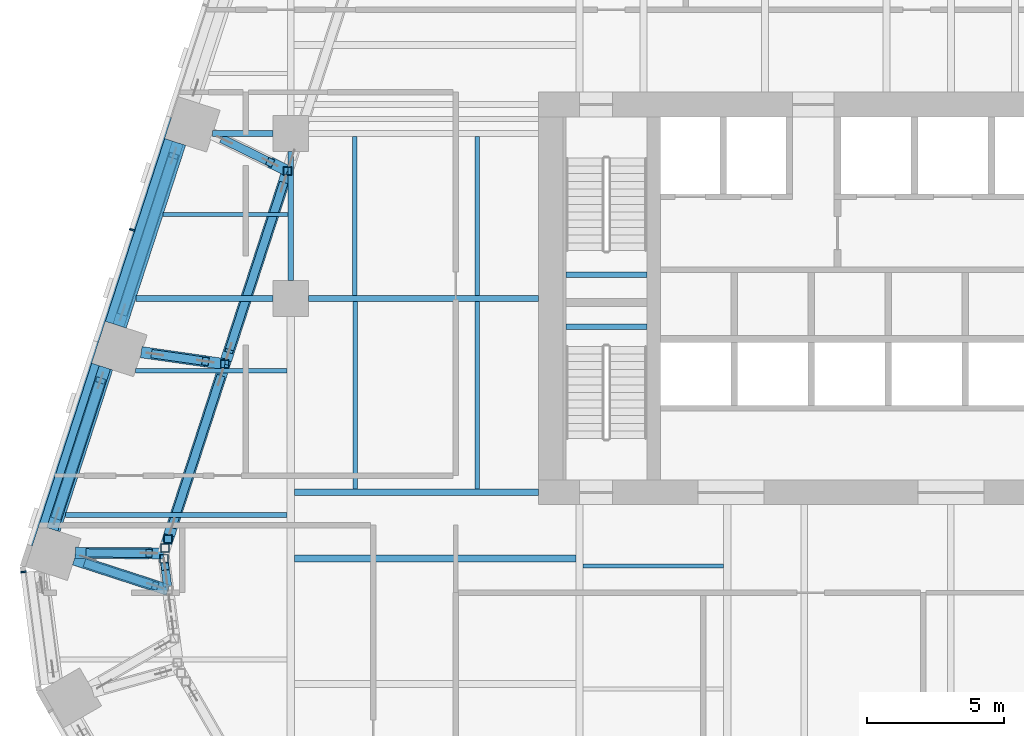
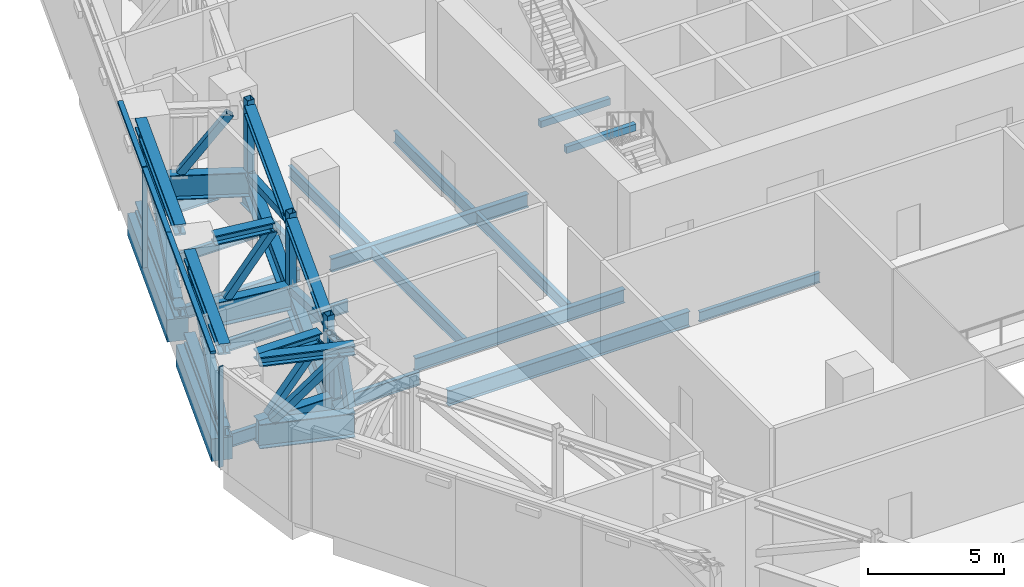
# One storey, part 10 of 36: 34 members, 18 beams, 2 elements without a shape of their own.
"""IFC4 building model written with IfcOpenShell, lengths in metres."""

from ifc_helpers import new_model, si_unit, direction, frame, origin, origin_2d, place, context, subcontext, project, spatial, rectangle, hollow_rectangle, i_section, extrude, material, layer, layer_set, material_profile, profile_set, type_object, element, aggregate, save


model = new_model("IFC4")

# Units and contexts
model_context = context("Model", 3, precision=1e-05, world=origin(), true_north=direction((0.0, 1.0)))
body_context = subcontext(model_context, "Body", "Model", "MODEL_VIEW")
ifc_project = project(units=[si_unit("LENGTHUNIT", "METRE"), si_unit("AREAUNIT", "SQUARE_METRE"), si_unit("VOLUMEUNIT", "CUBIC_METRE"), si_unit("PLANEANGLEUNIT", "RADIAN"), si_unit("MASSUNIT", "GRAM", prefix="KILO")], contexts=[model_context])

# Site, building, storey
site_placement = place(None, origin())
site = spatial("IfcSite", under=ifc_project, at=site_placement, CompositionType="ELEMENT")
building_placement = place(site_placement, origin())
building = spatial("IfcBuilding", under=site, at=building_placement, Name="Isthmus Gate Tower", CompositionType="ELEMENT")
storey_placement = place(building_placement, frame((0.0, 0.0, 117.14990234375)))
storey = spatial("IfcBuildingStorey", under=building, at=storey_placement, Name="L28", CompositionType="ELEMENT", Elevation=117.14990234375)

# Members
ifc_material_1 = material(Name="Structural steel ASTM A913 Gr 65", Category="steel")
ifc_material_profile_1 = material_profile(ifc_material_1, i_section(OverallWidth=0.4287109375, OverallDepth=0.482666015625, WebThickness=0.05078125, FlangeThickness=0.0810546875, at=origin_2d()), Name="W14X455")
ifc_profile_set_1 = profile_set([ifc_material_profile_1], Name="Structural steel ASTM A913 Gr 65")
member_type_1 = type_object("IfcMemberType", Name="BELT TRUSS CHORD W14X455", PredefinedType="CHORD", material=ifc_profile_set_1)
for number, where, z_axis, x_axis, name in (
    (1, (-32.67626953125, -0.8935546875, 0.241455078125), (0.309023635203, 0.951054358534, 0.0), (-0.951054358534, 0.309023635203, 0.0), "str-belt18-L28-01"),
    (2, (-32.67626953125, -0.8935546875, 3.958740234375), (0.309023635203, 0.951054358534, 0.0), (-0.951054358534, 0.309023635203, 0.0), "str-belt18-L28-02"),
):
    element("IfcMember", number, at=place(storey_placement, frame(where, z_axis=z_axis, x_axis=x_axis)), inside=storey, type_object=member_type_1, Name=name, PredefinedType="CHORD", context=body_context, shape_type="SweptSolid", body=[
        extrude(i_section(OverallWidth=0.4287109375, OverallDepth=0.482666015625, WebThickness=0.05078125, FlangeThickness=0.0810546875, at=origin_2d()), origin(), (0.0, 0.0, 1.0), 6.189208984375),
    ])
for number, where, z_axis, x_axis, name in (
    (3, (-30.26904296875, 6.514404296875, 0.241455078125), (0.308998398314, 0.951062558321, 0.0), (-0.951062558321, 0.308998398314, 0.0), "str-belt19-L28-01"),
    (4, (-30.26904296875, 6.514404296875, 3.958740234375), (0.308998398314, 0.951062558321, 0.0), (-0.951062558321, 0.308998398314, 0.0), "str-belt19-L28-02"),
):
    element("IfcMember", number, at=place(storey_placement, frame(where, z_axis=z_axis, x_axis=x_axis)), inside=storey, type_object=member_type_1, Name=name, PredefinedType="CHORD", context=body_context, shape_type="SweptSolid", body=[
        extrude(i_section(OverallWidth=0.4287109375, OverallDepth=0.482666015625, WebThickness=0.05078125, FlangeThickness=0.0810546875, at=origin_2d()), origin(), (0.0, 0.0, 1.0), 6.9892578125),
    ])

# Curtain wall, member
ifc_material_2 = material(Name="Aluminium, pale champagne anodised", Category="aluminium")
ifc_layer = layer(ifc_material_2, 0.199951171875)
ifc_layer_set = layer_set([ifc_layer], Name="CW-2 LOUVRE CURTAIN WALL 200 DEEP")
curtain_wall_type = type_object("IfcCurtainWallType", Name="CW-2 LOUVRE CURTAIN WALL 200 DEEP", PredefinedType="NOTDEFINED", material=ifc_layer_set)
curtain_wall_1_placement = place(storey_placement, origin())
curtain_wall_1 = element("IfcCurtainWall", 5, at=curtain_wall_1_placement, inside=storey, type_object=curtain_wall_type, Name="CW-2 NW L28", PredefinedType="NOTDEFINED")
ifc_material_3 = material(Name="Aluminium, pale champagne anodised", Category="aluminium")
ifc_material_profile_2 = material_profile(ifc_material_3, rectangle(XDim=0.06005859375, YDim=0.199951171875, at=origin_2d()), Name="60x200")
ifc_profile_set_2 = profile_set([ifc_material_profile_2], Name="Aluminium, pale champagne anodised")
member_type_2 = type_object("IfcMemberType", Name="CW-2 MULLION 60 X 200", PredefinedType="MULLION", material=ifc_profile_set_2)
member_1_placement = place(storey_placement, frame((-29.76904296875, 9.994873046875, 0.0), z_axis=(0.0, 0.0, 1.0), x_axis=(-0.309016994375, -0.951056516295, 0.0)))
member_1 = element("IfcMember", 6, at=member_1_placement, type_object=member_type_2, Name="CW-2 mullion", PredefinedType="MULLION", context=body_context, shape_type="SweptSolid", body=[
    extrude(rectangle(XDim=0.06005859375, YDim=0.199951171875, at=origin_2d()), origin(), (0.0, 0.0, 1.0), 4.5),
])

curtain_wall_2_placement = place(storey_placement, origin())
curtain_wall_2 = element("IfcCurtainWall", 7, at=curtain_wall_2_placement, inside=storey, type_object=curtain_wall_type, Name="CW-2 NW-SW L28", PredefinedType="NOTDEFINED")
member_2_placement = place(storey_placement, frame((-33.722900390625, -2.44482421875, 0.0), z_axis=(0.0, 0.0, 1.0), x_axis=(0.129164534, -0.991623175988, 0.0)))
member_2 = element("IfcMember", 8, at=member_2_placement, type_object=member_type_2, Name="CW-2 mullion", PredefinedType="MULLION", context=body_context, shape_type="SweptSolid", body=[
    extrude(rectangle(XDim=0.06005859375, YDim=0.199951171875, at=origin_2d()), origin(), (0.0, 0.0, 1.0), 4.5),
])
aggregate(curtain_wall_2, [member_2])

# Member
ifc_material_4 = material(Name="Aluminium, pale champagne anodised", Category="aluminium")
ifc_material_profile_3 = material_profile(ifc_material_4, rectangle(XDim=0.199951171875, YDim=0.1201171875, at=origin_2d()), Name="200x120")
ifc_profile_set_3 = profile_set([ifc_material_profile_3], Name="Aluminium, pale champagne anodised")
member_type_3 = type_object("IfcMemberType", Name="CW-2 TRANSOM 200 X 120", PredefinedType="USERDEFINED", material=ifc_profile_set_3)
member_3_placement = place(storey_placement, frame((-28.4326171875, 14.10791015625, 4.440185546875), z_axis=(-0.309021801109, -0.951054954479, 0.0), x_axis=(0.951054954479, -0.309021801109, 0.0)))
member_3 = element("IfcMember", 9, at=member_3_placement, type_object=member_type_3, Name="CW-2 transom", ObjectType="TRANSOM", PredefinedType="USERDEFINED", context=body_context, shape_type="SweptSolid", body=[
    extrude(rectangle(XDim=0.199951171875, YDim=0.1201171875, at=origin_2d()), origin(), (0.0, 0.0, 1.0), 4.294677734375),
])

member_4_placement = place(storey_placement, frame((-29.7783203125, 9.96630859375, 4.440185546875), z_axis=(-0.309023496777, -0.951054403512, 0.0), x_axis=(0.951054403512, -0.309023496777, 0.0)))
member_4 = element("IfcMember", 10, at=member_4_placement, type_object=member_type_3, Name="CW-2 transom", ObjectType="TRANSOM", PredefinedType="USERDEFINED", context=body_context, shape_type="SweptSolid", body=[
    extrude(rectangle(XDim=0.199951171875, YDim=0.1201171875, at=origin_2d()), origin(), (0.0, 0.0, 1.0), 4.234619140625),
])

member_5_placement = place(storey_placement, frame((-31.0869140625, 5.93896484375, 4.440185546875), z_axis=(-0.309015907338, -0.951056869494, 0.0), x_axis=(0.951056869494, -0.309015907338, 0.0)))
member_5 = element("IfcMember", 11, at=member_5_placement, type_object=member_type_3, Name="CW-2 transom", ObjectType="TRANSOM", PredefinedType="USERDEFINED", context=body_context, shape_type="SweptSolid", body=[
    extrude(rectangle(XDim=0.199951171875, YDim=0.1201171875, at=origin_2d()), origin(), (0.0, 0.0, 1.0), 7.789306640625),
])

aggregate(curtain_wall_1, [member_3, member_1, member_4, member_5])

# Beams
ifc_material_5 = material(Name="Concrete f'c 70 MPa", Category="concrete")
ifc_material_profile_4 = material_profile(ifc_material_5, rectangle(XDim=0.800048828125, YDim=1.0, at=origin_2d()), Name="RC 800X1000")
ifc_profile_set_4 = profile_set([ifc_material_profile_4], Name="Concrete f'c 70 MPa")
beam_type_1 = type_object("IfcBeamType", Name="RC SPANDREL 800 X 1000", PredefinedType="SPANDREL", material=ifc_profile_set_4)
beam_1_placement = place(storey_placement, frame((-32.771240234375, -0.86279296875, -0.5), z_axis=(0.309012042366, 0.951058125286, 0.0), x_axis=(-0.951058125286, 0.309012042366, 0.0)))
element("IfcBeam", 12, at=beam_1_placement, inside=storey, type_object=beam_type_1, Name="str-spandrel-L28-18", PredefinedType="SPANDREL", context=body_context, shape_type="SweptSolid", body=[
    extrude(rectangle(XDim=0.800048828125, YDim=1.0, at=origin_2d()), origin(), (0.0, 0.0, 1.0), 6.189453125),
])
beam_2_placement = place(storey_placement, frame((-30.3642578125, 6.54541015625, -0.5), z_axis=(0.309029993465, 0.951052292537, 0.0), x_axis=(-0.951052292537, 0.309029993465, 0.0)))
element("IfcBeam", 13, at=beam_2_placement, inside=storey, type_object=beam_type_1, Name="str-spandrel-L28-19", PredefinedType="SPANDREL", context=body_context, shape_type="SweptSolid", body=[
    extrude(rectangle(XDim=0.800048828125, YDim=1.0, at=origin_2d()), origin(), (0.0, 0.0, 1.0), 6.9892578125),
])
ifc_material_6 = material(Name="Concrete f'c 40 MPa", Category="concrete")
ifc_material_profile_5 = material_profile(ifc_material_6, rectangle(XDim=0.199951171875, YDim=0.300048828125, at=origin_2d()), Name="STAIR LANDING BEAM RC 200 X 300")
ifc_profile_set_5 = profile_set([ifc_material_profile_5], Name="Concrete f'c 40 MPa")
beam_type_2 = type_object("IfcBeamType", Name="STAIR LANDING BEAM RC 200 X 300", PredefinedType="BEAM", material=ifc_profile_set_5)
for number, where, z_axis, x_axis, name in (
    (14, (-14.0, 8.3701171875, 1.900146484375), (1.0, 0.0, 0.0), (0.0, 1.0, 0.0), "L28 ST1 landing beam 1"),
    (15, (-14.0, 6.47998046875, 1.900146484375), (1.0, 0.0, 0.0), (0.0, 1.0, 0.0), "L28 ST7 landing beam 1"),
):
    element("IfcBeam", number, at=place(storey_placement, frame(where, z_axis=z_axis, x_axis=x_axis)), inside=storey, type_object=beam_type_2, Name=name, PredefinedType="BEAM", context=body_context, shape_type="SweptSolid", body=[
        extrude(rectangle(XDim=0.199951171875, YDim=0.300048828125, at=origin_2d()), origin(), (0.0, 0.0, 1.0), 2.949951171875),
    ])
ifc_material_7 = material(Name="Structural steel ASTM A992 Gr 50", Category="steel")
ifc_material_profile_6 = material_profile(ifc_material_7, i_section(OverallWidth=0.15234375, OverallDepth=0.45068359375, WebThickness=0.0078125, FlangeThickness=0.010986328125, at=origin_2d()), Name="W18X35")
ifc_profile_set_6 = profile_set([ifc_material_profile_6], Name="Structural steel ASTM A992 Gr 50")
beam_type_3 = type_object("IfcBeamType", Name="STEEL FLOOR BEAM W18X35", PredefinedType="JOIST", material=ifc_profile_set_6)
beam_3_placement = place(storey_placement, frame((-28.6416015625, 10.552490234375, -0.525390625), z_axis=(1.0, 0.0, 0.0), x_axis=(0.0, 1.0, 0.0)))
element("IfcBeam", 16, at=beam_3_placement, inside=storey, type_object=beam_type_3, Name="str-beam-L28-01-00", PredefinedType="JOIST", context=body_context, shape_type="SweptSolid", body=[
    extrude(i_section(OverallWidth=0.15234375, OverallDepth=0.45068359375, WebThickness=0.0078125, FlangeThickness=0.010986328125, at=origin_2d()), origin(), (0.0, 0.0, 1.0), 4.536865234375),
])
beam_4_placement = place(storey_placement, frame((-13.3681640625, -2.232421875, -0.525390625), z_axis=(1.0, 0.0, 0.0), x_axis=(0.0, 1.0, 0.0)))
element("IfcBeam", 17, at=beam_4_placement, inside=storey, type_object=beam_type_3, Name="str-beam-L28-12-02", PredefinedType="JOIST", context=body_context, shape_type="SweptSolid", body=[
    extrude(i_section(OverallWidth=0.15234375, OverallDepth=0.45068359375, WebThickness=0.0078125, FlangeThickness=0.010986328125, at=origin_2d()), origin(), (0.0, 0.0, 1.0), 5.1015625),
])
ifc_material_8 = material(Name="Structural steel ASTM A992 Gr 50", Category="steel")
ifc_material_profile_7 = material_profile(ifc_material_8, i_section(OverallWidth=0.1650390625, OverallDepth=0.52392578125, WebThickness=0.009521484375, FlangeThickness=0.010986328125, at=origin_2d()), Name="W21X44")
ifc_profile_set_7 = profile_set([ifc_material_profile_7], Name="Structural steel ASTM A992 Gr 50")
beam_type_4 = type_object("IfcBeamType", Name="STEEL FLOOR BEAM W21X44", PredefinedType="JOIST", material=ifc_profile_set_7)
beam_5_placement = place(storey_placement, frame((-29.645263671875, 4.875, -0.561767578125), z_axis=(1.0, 0.0, 0.0), x_axis=(0.0, 1.0, 0.0)))
element("IfcBeam", 18, at=beam_5_placement, inside=storey, type_object=beam_type_4, Name="str-beam-L28-00-03", PredefinedType="JOIST", context=body_context, shape_type="SweptSolid", body=[
    extrude(i_section(OverallWidth=0.1650390625, OverallDepth=0.52392578125, WebThickness=0.009521484375, FlangeThickness=0.010986328125, at=origin_2d()), origin(), (0.0, 0.0, 1.0), 5.511962890625),
])
for number, where, z_axis, x_axis, name in (
    (19, (-21.64990234375, 0.564208984375, -0.561767578125), (0.0, 1.0, 0.0), (-1.0, 0.0, 0.0), "str-beam-L28-03-00"),
    (20, (-17.216552734375, 0.564208984375, -0.561767578125), (0.0, 1.0, 0.0), (-1.0, 0.0, 0.0), "str-beam-L28-03-01"),
):
    element("IfcBeam", number, at=place(storey_placement, frame(where, z_axis=z_axis, x_axis=x_axis)), inside=storey, type_object=beam_type_4, Name=name, PredefinedType="JOIST", context=body_context, shape_type="SweptSolid", body=[
        extrude(i_section(OverallWidth=0.1650390625, OverallDepth=0.52392578125, WebThickness=0.009521484375, FlangeThickness=0.010986328125, at=origin_2d()), origin(), (0.0, 0.0, 1.0), 6.821533203125),
    ])
for number, where, z_axis, x_axis, name in (
    (21, (-21.67138671875, 7.6142578125, -0.561767578125), (0.0, 1.0, 0.0), (-1.0, 0.0, 0.0), "str-beam-L28-04-00"),
    (22, (-17.223876953125, 7.6142578125, -0.561767578125), (0.0, 1.0, 0.0), (-1.0, 0.0, 0.0), "str-beam-L28-04-01"),
):
    element("IfcBeam", number, at=place(storey_placement, frame(where, z_axis=z_axis, x_axis=x_axis)), inside=storey, type_object=beam_type_4, Name=name, PredefinedType="JOIST", context=body_context, shape_type="SweptSolid", body=[
        extrude(i_section(OverallWidth=0.1650390625, OverallDepth=0.52392578125, WebThickness=0.009521484375, FlangeThickness=0.010986328125, at=origin_2d()), origin(), (0.0, 0.0, 1.0), 5.771484375),
    ])
ifc_material_9 = material(Name="Structural steel ASTM A992 Gr 50", Category="steel")
ifc_material_profile_8 = material_profile(ifc_material_9, i_section(OverallWidth=0.177734375, OverallDepth=0.60009765625, WebThickness=0.009521484375, FlangeThickness=0.0126953125, at=origin_2d()), Name="W24X55")
ifc_profile_set_8 = profile_set([ifc_material_profile_8], Name="Structural steel ASTM A992 Gr 50")
beam_type_5 = type_object("IfcBeamType", Name="STEEL FLOOR BEAM W24X55", PredefinedType="JOIST", material=ifc_profile_set_8)
beam_6_placement = place(storey_placement, frame((-32.192138671875, -0.375, -0.599853515625), z_axis=(1.0, 0.0, 0.0), x_axis=(0.0, 1.0, 0.0)))
element("IfcBeam", 23, at=beam_6_placement, inside=storey, type_object=beam_type_5, Name="str-beam-L28-00-02", PredefinedType="JOIST", context=body_context, shape_type="SweptSolid", body=[
    extrude(i_section(OverallWidth=0.177734375, OverallDepth=0.60009765625, WebThickness=0.009521484375, FlangeThickness=0.0126953125, at=origin_2d()), origin(), (0.0, 0.0, 1.0), 8.058837890625),
])
ifc_material_10 = material(Name="Structural steel ASTM A992 Gr 50", Category="steel")
ifc_material_profile_9 = material_profile(ifc_material_10, i_section(OverallWidth=0.25390625, OverallDepth=0.679443359375, WebThickness=0.010986328125, FlangeThickness=0.015869140625, at=origin_2d()), Name="W27X84")
ifc_profile_set_9 = profile_set([ifc_material_profile_9], Name="Structural steel ASTM A992 Gr 50")
beam_type_6 = type_object("IfcBeamType", Name="STEEL FLOOR BEAM W27X84", PredefinedType="JOIST", material=ifc_profile_set_9)
beam_7_placement = place(storey_placement, frame((-23.86669921875, -1.947998046875, -0.6396484375), z_axis=(1.0, 0.0, 0.0), x_axis=(0.0, 1.0, 0.0)))
element("IfcBeam", 24, at=beam_7_placement, inside=storey, type_object=beam_type_6, Name="str-beam-L28-08-02", PredefinedType="JOIST", context=body_context, shape_type="SweptSolid", body=[
    extrude(i_section(OverallWidth=0.25390625, OverallDepth=0.679443359375, WebThickness=0.010986328125, FlangeThickness=0.015869140625, at=origin_2d()), origin(), (0.0, 0.0, 1.0), 10.23486328125),
])
ifc_material_11 = material(Name="Structural steel ASTM A992 Gr 50", Category="steel")
ifc_material_profile_10 = material_profile(ifc_material_11, i_section(OverallWidth=0.20947265625, OverallDepth=0.533447265625, WebThickness=0.009521484375, FlangeThickness=0.015869140625, at=origin_2d()), Name="W21X62")
ifc_profile_set_10 = profile_set([ifc_material_profile_10], Name="Structural steel ASTM A992 Gr 50")
beam_type_7 = type_object("IfcBeamType", Name="STEEL GIRDER W21X62", PredefinedType="BEAM", material=ifc_profile_set_10)
beam_8_placement = place(storey_placement, frame((-29.633544921875, 7.5, -0.566650390625), z_axis=(1.0, 0.0, 0.0), x_axis=(0.0, 1.0, 0.0)))
element("IfcBeam", 25, at=beam_8_placement, inside=storey, type_object=beam_type_7, Name="str-girder-L28-09", PredefinedType="BEAM", context=body_context, shape_type="SweptSolid", body=[
    extrude(i_section(OverallWidth=0.20947265625, OverallDepth=0.533447265625, WebThickness=0.009521484375, FlangeThickness=0.015869140625, at=origin_2d()), origin(), (0.0, 0.0, 1.0), 4.983642578125),
])
beam_9_placement = place(storey_placement, frame((-26.8427734375, 13.5, -0.566650390625), z_axis=(1.0, 0.0, 0.0), x_axis=(0.0, 1.0, 0.0)))
element("IfcBeam", 26, at=beam_9_placement, inside=storey, type_object=beam_type_7, Name="str-girder-L28-13", PredefinedType="BEAM", context=body_context, shape_type="SweptSolid", body=[
    extrude(i_section(OverallWidth=0.20947265625, OverallDepth=0.533447265625, WebThickness=0.009521484375, FlangeThickness=0.015869140625, at=origin_2d()), origin(), (0.0, 0.0, 1.0), 2.19287109375),
])
beam_10_placement = place(storey_placement, frame((-24.0, 8.14990234375, -0.566650390625), z_axis=(0.0, 1.0, 0.0), x_axis=(-1.0, 0.0, 0.0)))
element("IfcBeam", 27, at=beam_10_placement, inside=storey, type_object=beam_type_7, Name="str-girder-L28-22", PredefinedType="BEAM", context=body_context, shape_type="SweptSolid", body=[
    extrude(i_section(OverallWidth=0.20947265625, OverallDepth=0.533447265625, WebThickness=0.009521484375, FlangeThickness=0.015869140625, at=origin_2d()), origin(), (0.0, 0.0, 1.0), 4.7001953125),
])
ifc_material_12 = material(Name="Structural steel ASTM A992 Gr 50", Category="steel")
ifc_material_profile_11 = material_profile(ifc_material_12, i_section(OverallWidth=0.228515625, OverallDepth=0.6064453125, WebThickness=0.010986328125, FlangeThickness=0.017578125, at=origin_2d()), Name="W24X76")
ifc_profile_set_11 = profile_set([ifc_material_profile_11], Name="Structural steel ASTM A992 Gr 50")
beam_type_8 = type_object("IfcBeamType", Name="STEEL GIRDER W24X76", PredefinedType="BEAM", material=ifc_profile_set_11)
beam_11_placement = place(storey_placement, frame((-23.35009765625, 7.5, -0.60302734375), z_axis=(1.0, 0.0, 0.0), x_axis=(0.0, 1.0, 0.0)))
element("IfcBeam", 28, at=beam_11_placement, inside=storey, type_object=beam_type_8, Name="str-girder-L28-10", PredefinedType="BEAM", context=body_context, shape_type="SweptSolid", body=[
    extrude(i_section(OverallWidth=0.228515625, OverallDepth=0.6064453125, WebThickness=0.010986328125, FlangeThickness=0.017578125, at=origin_2d()), origin(), (0.0, 0.0, 1.0), 8.35009765625),
])
beam_12_placement = place(storey_placement, frame((-15.0, 0.449951171875, -0.60302734375), z_axis=(-1.0, 0.0, 0.0), x_axis=(0.0, -1.0, 0.0)))
element("IfcBeam", 29, at=beam_12_placement, inside=storey, type_object=beam_type_8, Name="str-girder-L28-39", PredefinedType="BEAM", context=body_context, shape_type="SweptSolid", body=[
    extrude(i_section(OverallWidth=0.228515625, OverallDepth=0.6064453125, WebThickness=0.010986328125, FlangeThickness=0.017578125, at=origin_2d()), origin(), (0.0, 0.0, 1.0), 8.86669921875),
])

# Members
ifc_material_13 = material(Name="Structural steel ASTM A913 Gr 65", Category="steel")
ifc_material_profile_12 = material_profile(ifc_material_13, i_section(OverallWidth=0.40966796875, OverallDepth=0.42529296875, WebThickness=0.033203125, FlangeThickness=0.052490234375, at=origin_2d()), Name="W14X283")
ifc_profile_set_12 = profile_set([ifc_material_profile_12], Name="Structural steel ASTM A913 Gr 65")
member_type_4 = type_object("IfcMemberType", Name="TRANSFER TRUSS CHORD W14X283", PredefinedType="CHORD", material=ifc_profile_set_12)
member_6_placement = place(storey_placement, frame((-28.421142578125, -1.10693359375, 3.887451171875), z_axis=(0.309016050931, 0.951056822838, 0.0), x_axis=(-0.951056822838, 0.309016050931, 0.0)))
element("IfcMember", 30, at=member_6_placement, inside=storey, type_object=member_type_4, Name="str-ring09-L28-14", PredefinedType="CHORD", context=body_context, shape_type="SweptSolid", body=[
    extrude(i_section(OverallWidth=0.40966796875, OverallDepth=0.42529296875, WebThickness=0.033203125, FlangeThickness=0.052490234375, at=origin_2d()), origin(), (0.0, 0.0, 1.0), 6.385986328125),
])
member_7_placement = place(storey_placement, frame((-26.353515625, 5.256591796875, 3.887451171875), z_axis=(0.309014398609, 0.951057359707, 0.0), x_axis=(-0.951057359707, 0.309014398609, 0.0)))
element("IfcMember", 31, at=member_7_placement, inside=storey, type_object=member_type_4, Name="str-ring09-L28-15", PredefinedType="CHORD", context=body_context, shape_type="SweptSolid", body=[
    extrude(i_section(OverallWidth=0.40966796875, OverallDepth=0.42529296875, WebThickness=0.033203125, FlangeThickness=0.052490234375, at=origin_2d()), origin(), (0.0, 0.0, 1.0), 7.086181640625),
])
member_8_placement = place(storey_placement, frame((-29.439208984375, 5.54736328125, 3.887451171875), z_axis=(0.98986861128, -0.141986381043, 0.0), x_axis=(0.141986381043, 0.98986861128, 0.0)))
element("IfcMember", 32, at=member_8_placement, inside=storey, type_object=member_type_4, Name="str-link08-L28-02", PredefinedType="CHORD", context=body_context, shape_type="SweptSolid", body=[
    extrude(i_section(OverallWidth=0.40966796875, OverallDepth=0.42529296875, WebThickness=0.033203125, FlangeThickness=0.052490234375, at=origin_2d()), origin(), (0.0, 0.0, 1.0), 2.359130859375),
])
member_9_placement = place(storey_placement, frame((-31.877197265625, -1.994384765625, 3.887451171875), z_axis=(0.951049054864, -0.309039957356, 0.0), x_axis=(0.309039957356, 0.951049054864, 0.0)))
element("IfcMember", 33, at=member_9_placement, inside=storey, type_object=member_type_4, Name="str-link09-L28-02", PredefinedType="CHORD", context=body_context, shape_type="SweptSolid", body=[
    extrude(i_section(OverallWidth=0.40966796875, OverallDepth=0.42529296875, WebThickness=0.033203125, FlangeThickness=0.052490234375, at=origin_2d()), origin(), (0.0, 0.0, 1.0), 3.59130859375),
])
member_10_placement = place(storey_placement, frame((-31.838134765625, -1.751220703125, 3.887451171875), z_axis=(0.999987020344, -0.005095011659, 0.0), x_axis=(0.005095011659, 0.999987020344, 0.0)))
element("IfcMember", 34, at=member_10_placement, inside=storey, type_object=member_type_4, Name="str-link36-L28-02", PredefinedType="CHORD", context=body_context, shape_type="SweptSolid", body=[
    extrude(i_section(OverallWidth=0.40966796875, OverallDepth=0.42529296875, WebThickness=0.033203125, FlangeThickness=0.052490234375, at=origin_2d()), origin(), (0.0, 0.0, 1.0), 2.683349609375),
])
ifc_material_14 = material(Name="Structural steel ASTM A913 Gr 65", Category="steel")
ifc_material_profile_13 = material_profile(ifc_material_14, i_section(OverallWidth=0.39990234375, OverallDepth=1.089111328125, WebThickness=0.017578125, FlangeThickness=0.03173828125, at=origin_2d()), Name="W44X230")
ifc_profile_set_13 = profile_set([ifc_material_profile_13], Name="Structural steel ASTM A913 Gr 65")
member_type_5 = type_object("IfcMemberType", Name="TRANSFER TRUSS CHORD W44X230", PredefinedType="CHORD", material=ifc_profile_set_13)
member_11_placement = place(storey_placement, frame((-28.6357421875, -1.767333984375, 0.544677734375), z_axis=(0.309018906796, 0.95105589491, 0.0), x_axis=(-0.95105589491, 0.309018906796, 0.0)))
element("IfcMember", 35, at=member_11_placement, inside=storey, type_object=member_type_5, Name="str-ring09-L28-09", PredefinedType="CHORD", context=body_context, shape_type="SweptSolid", body=[
    extrude(i_section(OverallWidth=0.39990234375, OverallDepth=1.089111328125, WebThickness=0.017578125, FlangeThickness=0.03173828125, at=origin_2d()), origin(), (0.0, 0.0, 1.0), 7.23291015625),
])
member_12_placement = place(storey_placement, frame((-26.400634765625, 5.111572265625, 0.544677734375), z_axis=(0.309014368303, 0.951057369554, 0.0), x_axis=(-0.951057369554, 0.309014368303, 0.0)))
element("IfcMember", 36, at=member_12_placement, inside=storey, type_object=member_type_5, Name="str-ring09-L28-10", PredefinedType="CHORD", context=body_context, shape_type="SweptSolid", body=[
    extrude(i_section(OverallWidth=0.39990234375, OverallDepth=1.089111328125, WebThickness=0.017578125, FlangeThickness=0.03173828125, at=origin_2d()), origin(), (0.0, 0.0, 1.0), 7.39111328125),
])
member_13_placement = place(storey_placement, frame((-26.85791015625, 13.478759765625, 0.544677734375), z_axis=(0.898629163762, -0.438709044854, 0.0), x_axis=(0.438709044854, 0.898629163762, 0.0)))
element("IfcMember", 37, at=member_13_placement, inside=storey, type_object=member_type_5, Name="str-link07-L28-01", PredefinedType="CHORD", context=body_context, shape_type="SweptSolid", body=[
    extrude(i_section(OverallWidth=0.39990234375, OverallDepth=1.089111328125, WebThickness=0.017578125, FlangeThickness=0.03173828125, at=origin_2d()), origin(), (0.0, 0.0, 1.0), 3.050048828125),
])
member_14_placement = place(storey_placement, frame((-29.439208984375, 5.54736328125, 0.544677734375), z_axis=(0.989860221005, -0.142044862182, 0.0), x_axis=(0.142044862182, 0.989860221005, 0.0)))
element("IfcMember", 38, at=member_14_placement, inside=storey, type_object=member_type_5, Name="str-link08-L28-01", PredefinedType="CHORD", context=body_context, shape_type="SweptSolid", body=[
    extrude(i_section(OverallWidth=0.39990234375, OverallDepth=1.089111328125, WebThickness=0.017578125, FlangeThickness=0.03173828125, at=origin_2d()), origin(), (0.0, 0.0, 1.0), 3.069580078125),
])
member_15_placement = place(storey_placement, frame((-31.877197265625, -1.994384765625, 0.544677734375), z_axis=(0.951049054864, -0.309039957356, 0.0), x_axis=(0.309039957356, 0.951049054864, 0.0)))
element("IfcMember", 39, at=member_15_placement, inside=storey, type_object=member_type_5, Name="str-link09-L28-01", PredefinedType="CHORD", context=body_context, shape_type="SweptSolid", body=[
    extrude(i_section(OverallWidth=0.39990234375, OverallDepth=1.089111328125, WebThickness=0.017578125, FlangeThickness=0.03173828125, at=origin_2d()), origin(), (0.0, 0.0, 1.0), 3.59130859375),
])
member_16_placement = place(storey_placement, frame((-31.838134765625, -1.751220703125, 0.544677734375), z_axis=(0.999987341548, -0.005031574639, 0.0), x_axis=(0.005031574639, 0.999987341548, 0.0)))
element("IfcMember", 40, at=member_16_placement, inside=storey, type_object=member_type_5, Name="str-link36-L28-01", PredefinedType="CHORD", context=body_context, shape_type="SweptSolid", body=[
    extrude(i_section(OverallWidth=0.39990234375, OverallDepth=1.089111328125, WebThickness=0.017578125, FlangeThickness=0.03173828125, at=origin_2d()), origin(), (0.0, 0.0, 1.0), 3.202392578125),
])
ifc_material_15 = material(Name="Structural steel ASTM A500 Gr C", Category="steel")
ifc_material_profile_14 = material_profile(ifc_material_15, hollow_rectangle(XDim=0.3046875, YDim=0.3046875, WallThickness=0.014892578125, at=origin_2d()), Name="HSS12X12X5/8")
ifc_profile_set_14 = profile_set([ifc_material_profile_14], Name="Structural steel ASTM A500 Gr C")
member_type_6 = type_object("IfcMemberType", Name="TRANSFER TRUSS DIAGONAL HSS12X12X5/8", PredefinedType="BRACE", material=ifc_profile_set_14)
member_17_placement = place(storey_placement, frame((-28.4970703125, -2.832763671875, 1.089111328125), z_axis=(-0.02924833587, 0.224145265773, 0.974116745919), x_axis=(-0.991593603085, -0.129391368806, 0.0)))
element("IfcMember", 41, at=member_17_placement, inside=storey, type_object=member_type_6, Name="str-ring08-L28-08", PredefinedType="BRACE", context=body_context, shape_type="SweptSolid", body=[
    extrude(hollow_rectangle(XDim=0.3046875, YDim=0.3046875, WallThickness=0.014892578125, at=origin_2d()), origin(), (0.0, 0.0, 1.0), 2.654296875),
])
member_18_placement = place(storey_placement, frame((-26.55517578125, 4.635986328125, 1.089111328125), z_axis=(-0.281369445887, -0.865863304534, 0.413656829731), x_axis=(0.951045732726, -0.309050180818, 0.0)))
element("IfcMember", 42, at=member_18_placement, inside=storey, type_object=member_type_6, Name="str-ring09-L28-19", PredefinedType="BRACE", context=body_context, shape_type="SweptSolid", body=[
    extrude(hollow_rectangle(XDim=0.3046875, YDim=0.3046875, WallThickness=0.014892578125, at=origin_2d()), origin(), (0.0, 0.0, 1.0), 6.250732421875),
])
member_19_placement = place(storey_placement, frame((-24.271240234375, 11.665283203125, 1.089111328125), z_axis=(-0.286485553931, -0.881624765225, 0.37505173074), x_axis=(0.951047542847, -0.309044610445, 0.0)))
element("IfcMember", 43, at=member_19_placement, inside=storey, type_object=member_type_6, Name="str-ring09-L28-20", PredefinedType="BRACE", context=body_context, shape_type="SweptSolid", body=[
    extrude(hollow_rectangle(XDim=0.3046875, YDim=0.3046875, WallThickness=0.014892578125, at=origin_2d()), origin(), (0.0, 0.0, 1.0), 6.894287109375),
])
member_20_placement = place(storey_placement, frame((-26.40869140625, 13.259521484375, 1.089111328125), z_axis=(0.52164307758, -0.254709434933, 0.814255244606), x_axis=(0.438770639343, 0.898599090836, 0.0)))
element("IfcMember", 44, at=member_20_placement, inside=storey, type_object=member_type_6, Name="str-link07-L28-03", PredefinedType="BRACE", context=body_context, shape_type="SweptSolid", body=[
    extrude(hollow_rectangle(XDim=0.3046875, YDim=0.3046875, WallThickness=0.014892578125, at=origin_2d()), origin(), (0.0, 0.0, 1.0), 3.175537109375),
])
member_21_placement = place(storey_placement, frame((-28.944091796875, 5.476318359375, 1.089111328125), z_axis=(0.577816483186, -0.082873771836, 0.81194830482), x_axis=(0.141972940528, 0.98987053909, 0.0)))
element("IfcMember", 45, at=member_21_placement, inside=storey, type_object=member_type_6, Name="str-link08-L28-03", PredefinedType="BRACE", context=body_context, shape_type="SweptSolid", body=[
    extrude(hollow_rectangle(XDim=0.3046875, YDim=0.3046875, WallThickness=0.014892578125, at=origin_2d()), origin(), (0.0, 0.0, 1.0), 3.1845703125),
])
member_22_placement = place(storey_placement, frame((-31.401611328125, -2.14892578125, 1.089111328125), z_axis=(0.673207883099, -0.218755880381, 0.706354734486), x_axis=(0.309039202004, 0.951049300313, 0.0)))
element("IfcMember", 46, at=member_22_placement, inside=storey, type_object=member_type_6, Name="str-link09-L28-03", PredefinedType="BRACE", context=body_context, shape_type="SweptSolid", body=[
    extrude(hollow_rectangle(XDim=0.3046875, YDim=0.3046875, WallThickness=0.014892578125, at=origin_2d()), origin(), (0.0, 0.0, 1.0), 3.66064453125),
])
member_23_placement = place(storey_placement, frame((-31.338134765625, -1.75390625, 1.089111328125), z_axis=(0.645155894143, -0.003246339622, 0.764044065176), x_axis=(0.005031804799, 0.99998734039, 0.0)))
element("IfcMember", 47, at=member_23_placement, inside=storey, type_object=member_type_6, Name="str-link36-L28-03", PredefinedType="BRACE", context=body_context, shape_type="SweptSolid", body=[
    extrude(hollow_rectangle(XDim=0.3046875, YDim=0.3046875, WallThickness=0.014892578125, at=origin_2d()), origin(), (0.0, 0.0, 1.0), 3.38427734375),
])
ifc_material_16 = material(Name="Structural steel ASTM A500 Gr C", Category="steel")
ifc_material_profile_15 = material_profile(ifc_material_16, hollow_rectangle(XDim=0.3046875, YDim=0.3046875, WallThickness=0.014892578125, at=origin_2d()), Name="HSS12X12X5/8")
ifc_profile_set_15 = profile_set([ifc_material_profile_15], Name="Structural steel ASTM A500 Gr C")
member_type_7 = type_object("IfcMemberType", Name="TRANSFER TRUSS POST HSS12X12X5/8", PredefinedType="POST", material=ifc_profile_set_15)
for number, where, z_axis, x_axis, name in (
    (48, (-28.60986328125, -1.966064453125, 1.089111328125), (0.0, 0.0, 1.0), (1.0, 0.0, 0.0), "str-ring08-L28-04"),
    (49, (-28.573974609375, -1.5771484375, 1.089111328125), (0.0, 0.0, 1.0), (1.0, 0.0, 0.0), "str-ring09-L28-01"),
):
    element("IfcMember", number, at=place(storey_placement, frame(where, z_axis=z_axis, x_axis=x_axis)), inside=storey, type_object=member_type_7, Name=name, PredefinedType="POST", context=body_context, shape_type="SweptSolid", body=[
        extrude(hollow_rectangle(XDim=0.3046875, YDim=0.3046875, WallThickness=0.014892578125, at=origin_2d()), origin(), (0.0, 0.0, 1.0), 2.585693359375),
    ])
for number, where, z_axis, x_axis, name in (
    (50, (-28.46826171875, -1.251953125, 1.089111328125), (0.0, 0.0, 1.0), (1.0, 0.0, 0.0), "str-ring09-L28-02"),
    (51, (-26.400634765625, 5.111572265625, 1.089111328125), (0.0, 0.0, 1.0), (1.0, 0.0, 0.0), "str-ring09-L28-03"),
    (52, (-24.11669921875, 12.140869140625, 1.089111328125), (0.0, 0.0, 1.0), (1.0, 0.0, 0.0), "str-ring09-L28-04"),
):
    element("IfcMember", number, at=place(storey_placement, frame(where, z_axis=z_axis, x_axis=x_axis)), inside=storey, type_object=member_type_7, Name=name, PredefinedType="POST", context=body_context, shape_type="SweptSolid", body=[
        extrude(hollow_rectangle(XDim=0.3046875, YDim=0.3046875, WallThickness=0.014892578125, at=origin_2d()), origin(), (0.0, 0.0, 1.0), 3.2109375),
    ])
ifc_material_17 = material(Name="Structural steel ASTM A500 Gr C", Category="steel")
ifc_material_profile_16 = material_profile(ifc_material_17, hollow_rectangle(XDim=0.355712890625, YDim=0.355712890625, WallThickness=0.017578125, at=origin_2d()), Name="HSS14X14X3/4")
ifc_profile_set_16 = profile_set([ifc_material_profile_16], Name="Structural steel ASTM A500 Gr C")
member_type_8 = type_object("IfcMemberType", Name="TRUSS DIAGONAL HSS14X14X3/4", PredefinedType="BRACE", material=ifc_profile_set_16)
member_24_placement = place(storey_placement, frame((-32.521728515625, -0.418212890625, 0.482666015625), z_axis=(0.262256757468, 0.807091278578, 0.528984934762), x_axis=(-0.951050661899, 0.309035011774, 0.0)))
element("IfcMember", 53, at=member_24_placement, inside=storey, type_object=member_type_8, Name="str-belt18-L28-03", PredefinedType="BRACE", context=body_context, shape_type="SweptSolid", body=[
    extrude(hollow_rectangle(XDim=0.355712890625, YDim=0.355712890625, WallThickness=0.017578125, at=origin_2d()), origin(), (0.0, 0.0, 1.0), 6.115234375),
])
member_25_placement = place(storey_placement, frame((-30.114501953125, 6.989990234375, 0.482666015625), z_axis=(0.271860820637, 0.836814863735, 0.475218452961), x_axis=(-0.951068811014, 0.308979152558, 0.0)))
element("IfcMember", 54, at=member_25_placement, inside=storey, type_object=member_type_8, Name="str-belt19-L28-03", PredefinedType="BRACE", context=body_context, shape_type="SweptSolid", body=[
    extrude(hollow_rectangle(XDim=0.355712890625, YDim=0.355712890625, WallThickness=0.017578125, at=origin_2d()), origin(), (0.0, 0.0, 1.0), 6.80712890625),
])

save(model, "model.ifc")
